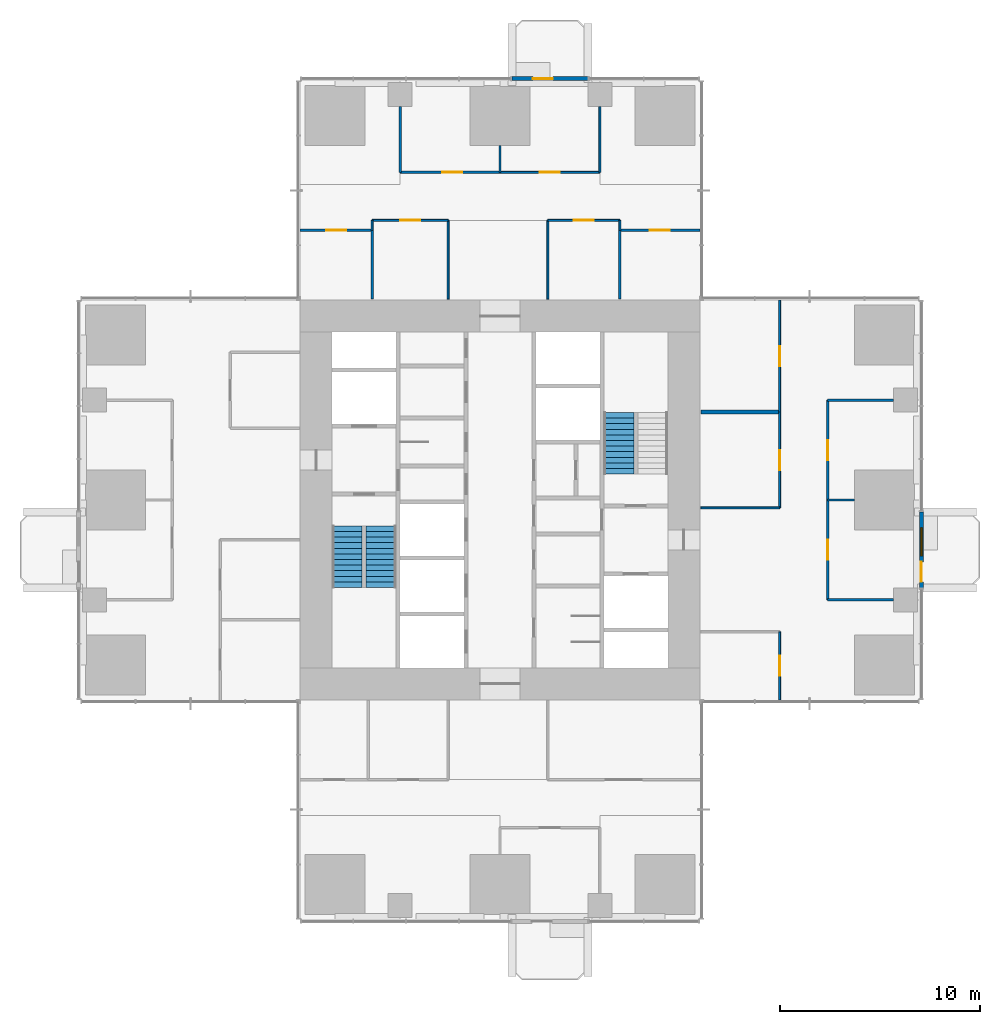
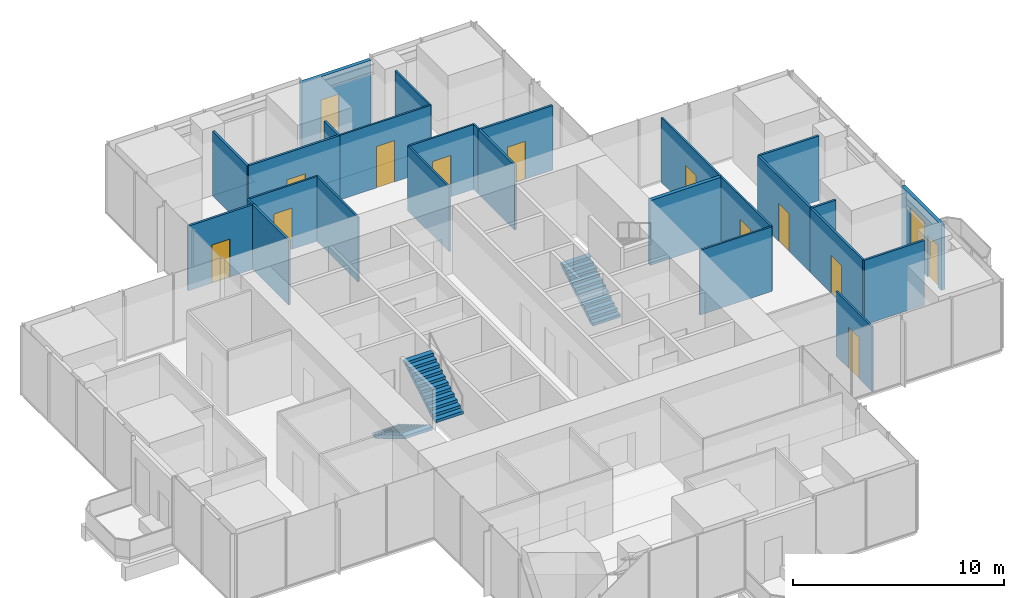
# One storey, part 10 of 14: 27 walls, 13 doors, 3 stair flights, 1 window, 14 openings, 2 elements without a shape of their own.
"""IFC4 building model written with IfcOpenShell, lengths in metres."""

import ifcopenshell
import ifcopenshell.guid

model = None  # the IFC model being written
_history = None  # IfcOwnerHistory: only IFC2X3 demands one
_inside = {}  # id of a spatial element -> (the spatial element, [elements in it])
_under = {}  # id of a project, library or spatial element -> (it, [spatial elements below it])
_declared = {}  # id of a project -> (the project, [libraries it declares])
_typed = {}  # id of a type object -> (the type object, [elements of that type])
_made_of = {}  # id of a material, layer set ... -> (it, [elements and type objects made of it])


def new_model(schema):
    """Start an empty IFC model of exactly this schema.

    Asked for "IFC4X3", IfcOpenShell would pick the latest addendum, in which some entities
    have other attributes; the version numbers below select the first issue.
    IFC2X3 requires an IfcOwnerHistory on every rooted entity: one is made here for all.
    """
    global model, _history
    if schema == "IFC4X3":
        model = ifcopenshell.file(schema_version=(4, 3, 0, 0))
    else:
        model = ifcopenshell.file(schema=schema)
    _inside.clear()
    _under.clear()
    _declared.clear()
    _typed.clear()
    _made_of.clear()
    _history = None
    if model.schema == "IFC2X3":
        org = make("IfcOrganization", Name="unknown")
        user = make(
            "IfcPersonAndOrganization",
            ThePerson=make("IfcPerson", FamilyName="unknown"),
            TheOrganization=org,
        )
        app = make(
            "IfcApplication",
            ApplicationDeveloper=org,
            Version="unknown",
            ApplicationFullName="unknown",
            ApplicationIdentifier="unknown",
        )
        _history = make(
            "IfcOwnerHistory",
            OwningUser=user,
            OwningApplication=app,
            ChangeAction="ADDED",
            CreationDate=0,
        )
    return model


def make(cls, **values):
    """One entity of the class cls with the attributes given. An attribute that is None is left unset."""
    return model.create_entity(
        cls, **{name: value for name, value in values.items() if value is not None}
    )


def rooted(cls, **values):
    """An entity with a GlobalId (a new one), such as an element, a storey or a relation."""
    return make(cls, GlobalId=ifcopenshell.guid.new(), OwnerHistory=_history, **values)


def si_unit(unit_type, name, prefix=None):
    """IfcSIUnit, for example si_unit("LENGTHUNIT", "METRE", prefix="MILLI")."""
    return make("IfcSIUnit", UnitType=unit_type, Prefix=prefix, Name=name)


def assignment(units):
    """IfcUnitAssignment: the units of a project."""
    return None if units is None else make("IfcUnitAssignment", Units=units)


def point(xyz):
    """IfcCartesianPoint."""
    return None if xyz is None else make("IfcCartesianPoint", Coordinates=xyz)


def direction(xyz):
    """IfcDirection."""
    return None if xyz is None else make("IfcDirection", DirectionRatios=xyz)


def frame(location, z_axis=None, x_axis=None):
    """IfcAxis2Placement3D, a coordinate frame: its origin and axes. An axis left out is left unset."""
    return make(
        "IfcAxis2Placement3D",
        Location=point(location),
        Axis=direction(z_axis),
        RefDirection=direction(x_axis),
    )


def frame_2d(location, x_axis=None):
    """IfcAxis2Placement2D, a coordinate frame in the plane: its origin and x axis."""
    return make(
        "IfcAxis2Placement2D", Location=point(location), RefDirection=direction(x_axis)
    )


def origin():
    """The frame at (0, 0, 0) with its axes left unset."""
    return frame((0.0, 0.0, 0.0))


def place(relative_to, where):
    """IfcLocalPlacement: puts the frame where relative to a parent placement (None: the world)."""
    return make(
        "IfcLocalPlacement", PlacementRelTo=relative_to, RelativePlacement=where
    )


def context(
    kind, dimensions, precision=None, world=None, true_north=None, identifier=None
):
    """IfcGeometricRepresentationContext, for example the 3D "Model" context."""
    return make(
        "IfcGeometricRepresentationContext",
        ContextIdentifier=identifier,
        ContextType=kind,
        CoordinateSpaceDimension=dimensions,
        Precision=precision,
        WorldCoordinateSystem=world,
        TrueNorth=true_north,
    )


def subcontext(parent, identifier, kind, view, scale=None):
    """IfcGeometricRepresentationSubContext, for example "Body" below "Model"."""
    return make(
        "IfcGeometricRepresentationSubContext",
        ContextIdentifier=identifier,
        ContextType=kind,
        ParentContext=parent,
        TargetScale=scale,
        TargetView=view,
    )


def project(units=None, contexts=None):
    """IfcProject with its units and contexts."""
    return rooted(
        "IfcProject",
        Name="project",
        RepresentationContexts=contexts,
        UnitsInContext=assignment(units),
    )


def spatial(cls, under=None, at=None, **own):
    """A site, building, storey or space (cls), placed at a placement, below another one or the project."""
    s = rooted(cls, ObjectPlacement=at, **own)
    if under is not None:
        _under.setdefault(under.id(), (under, []))[1].append(s)
    return s


def polyline(points):
    """IfcPolyline through the points."""
    return make("IfcPolyline", Points=[point(p) for p in points])


def profile(cls, at=None, kind="AREA", **sizes):
    """A parametric profile (cls). Its sizes go by their IFC names, for example OverallWidth=200.0."""
    return make(cls, ProfileType=kind, Position=at, **sizes)


def rectangle(**sizes):
    """IfcRectangleProfileDef."""
    return profile("IfcRectangleProfileDef", **sizes)


def outline(outer, holes=None, kind="AREA"):
    """IfcArbitraryClosedProfileDef: a profile drawn as a closed curve; with holes, ...WithVoids."""
    if holes is None:
        return make("IfcArbitraryClosedProfileDef", ProfileType=kind, OuterCurve=outer)
    return make(
        "IfcArbitraryProfileDefWithVoids",
        ProfileType=kind,
        OuterCurve=outer,
        InnerCurves=holes,
    )


def extrude(swept, where, along, depth):
    """IfcExtrudedAreaSolid: the profile swept, set in the frame where, extruded along a direction by depth."""
    return make(
        "IfcExtrudedAreaSolid",
        SweptArea=swept,
        Position=where,
        ExtrudedDirection=direction(along),
        Depth=depth,
    )


def shape(context_of_items, identifier, shape_type, items):
    """IfcShapeRepresentation: the items that make up one representation, for example the "Body"."""
    return make(
        "IfcShapeRepresentation",
        ContextOfItems=context_of_items,
        RepresentationIdentifier=identifier,
        RepresentationType=shape_type,
        Items=items,
    )


def material(Name=None, Category=None):
    """IfcMaterial."""
    return make("IfcMaterial", Name=Name, Category=Category)


def layer(
    of_material, thickness, ventilated=None, Name=None, Category=None, Priority=None
):
    """IfcMaterialLayer: one layer of a wall or slab, of a material (None: an air gap)."""
    return make(
        "IfcMaterialLayer",
        Material=of_material,
        LayerThickness=thickness,
        IsVentilated=ventilated,
        Name=Name,
        Category=Category,
        Priority=Priority,
    )


def layer_set(layers, Name=None):
    """IfcMaterialLayerSet."""
    return make("IfcMaterialLayerSet", MaterialLayers=layers, LayerSetName=Name)


def made_of(thing, what):
    """Note that an element or type object is made of a material, layer set ...; save() writes the relation."""
    if what is not None:
        _made_of.setdefault(what.id(), (what, []))[1].append(thing)
    return thing


def type_object(cls, material=None, **own):
    """A type object (cls), such as IfcWallType, which elements share."""
    return made_of(rooted(cls, **own), material)


def element(
    cls,
    number,
    at=None,
    inside=None,
    cuts=None,
    type_object=None,
    material=None,
    context=None,
    identifier="Body",
    shape_type=None,
    held_by="IfcProductDefinitionShape",
    body=None,
    shapes=None,
    **own,
):
    """One element of the class cls, such as IfcWall. Its Tag is "e" and its number.

    at: its placement. inside: the storey or other place that contains it. cuts: it is an
    opening in that element (IfcRelVoidsElement). A single representation is given by context,
    identifier, shape_type and body (its items); several are given by shapes. held_by: the class
    of the entity that holds the representations. save() writes the other relations.
    """
    e = rooted(cls, Tag="e%d" % number, ObjectPlacement=at, **own)
    if body is not None:
        shapes = [shape(context, identifier, shape_type, body)]
    if shapes is not None:
        e.Representation = make(held_by, Representations=shapes)
    if inside is not None:
        _inside.setdefault(inside.id(), (inside, []))[1].append(e)
    if cuts is not None:
        rooted(
            "IfcRelVoidsElement", RelatingBuildingElement=cuts, RelatedOpeningElement=e
        )
    if type_object is not None:
        _typed.setdefault(type_object.id(), (type_object, []))[1].append(e)
    return made_of(e, material)


def fill(opening, filler):
    """IfcRelFillsElement: the door or window that sits in an opening."""
    return rooted(
        "IfcRelFillsElement",
        RelatingOpeningElement=opening,
        RelatedBuildingElement=filler,
    )


def aggregate(whole, parts):
    """IfcRelAggregates: a whole, such as a stair, and the parts it consists of."""
    return rooted("IfcRelAggregates", RelatingObject=whole, RelatedObjects=parts)


def save(model, path):
    """Write the relations noted so far, then the file.

    IfcRelAggregates (storeys below a building ...), IfcRelContainedInSpatialStructure (elements
    in a storey), IfcRelDefinesByType, IfcRelAssociatesMaterial and IfcRelDeclares: one each for
    every whole, place, type object, material and project.
    """
    for whole, parts in _under.values():
        aggregate(whole, parts)
    for where, things in _inside.values():
        rooted(
            "IfcRelContainedInSpatialStructure",
            RelatedElements=things,
            RelatingStructure=where,
        )
    for kind, things in _typed.values():
        rooted("IfcRelDefinesByType", RelatedObjects=things, RelatingType=kind)
    for what, things in _made_of.values():
        rooted("IfcRelAssociatesMaterial", RelatedObjects=things, RelatingMaterial=what)
    for by, libraries in _declared.values():
        rooted("IfcRelDeclares", RelatingContext=by, RelatedDefinitions=libraries)
    model.write(path)


model = new_model("IFC4")

# Units and contexts
model_context = context("Model", 3, precision=1e-05, world=origin(), true_north=direction((0.0, 1.0)))
body_context = subcontext(model_context, "Body", "Model", "MODEL_VIEW")
ifc_project = project(units=[si_unit("LENGTHUNIT", "METRE"), si_unit("AREAUNIT", "SQUARE_METRE"), si_unit("VOLUMEUNIT", "CUBIC_METRE"), si_unit("PLANEANGLEUNIT", "RADIAN"), si_unit("MASSUNIT", "GRAM", prefix="KILO")], contexts=[model_context])

# Site, building, storey
site_placement = place(None, origin())
site = spatial("IfcSite", under=ifc_project, at=site_placement, CompositionType="ELEMENT")
building_placement = place(site_placement, origin())
building = spatial("IfcBuilding", under=site, at=building_placement, Name="Svetlomir Tower", CompositionType="ELEMENT")
storey_placement = place(building_placement, frame((0.0, 0.0, 104.5)))
storey = spatial("IfcBuildingStorey", under=building, at=storey_placement, Name="L24", CompositionType="ELEMENT", Elevation=104.5)

# Wall
ifc_material_1 = material(Name="Gypsum board on twin steel studs", Category="steel")
ifc_layer_1 = layer(ifc_material_1, 0.199951171875)
ifc_layer_set_1 = layer_set([ifc_layer_1], Name="Gypsum board on twin steel studs")
wall_type_1 = type_object("IfcWallType", Name="ACOUSTIC PARTITION 200", PredefinedType="PARTITIONING", material=ifc_layer_set_1)
wall_1_placement = place(storey_placement, frame((31.050048828125, 25.39990234375, 0.0), z_axis=(0.0, 0.0, 1.0), x_axis=(1.0, 0.0, 0.0)))
element("IfcWall", 1, at=wall_1_placement, inside=storey, type_object=wall_type_1, Name="Acoustic partition L24", PredefinedType="PARTITIONING", context=body_context, shape_type="SweptSolid", body=[
    extrude(rectangle(XDim=3.949951171875, YDim=0.199951171875, at=frame_2d((1.97509765625, 0.0))), origin(), (0.0, 0.0, 1.0), 3.75),
])

# Wall, openings, door, window
ifc_material_2 = material(Name="Bronze anodised aluminium glazed screen", Category="aluminium")
ifc_layer_2 = layer(ifc_material_2, 0.199951171875)
ifc_layer_set_2 = layer_set([ifc_layer_2], Name="Bronze anodised aluminium glazed screen")
wall_type_2 = type_object("IfcWallType", Name="BALCONY SCREEN WALL 200", PredefinedType="USERDEFINED", material=ifc_layer_set_2)
wall_2_placement = place(storey_placement, frame((42.10009765625, 16.60009765625, 0.0), z_axis=(0.0, 0.0, 1.0), x_axis=(0.0, 1.0, 0.0)))
wall_2 = element("IfcWall", 2, at=wall_2_placement, inside=storey, type_object=wall_type_2, Name="Balcony screen E", ObjectType="GLAZED SCREEN", PredefinedType="USERDEFINED", context=body_context, shape_type="SweptSolid", body=[
    extrude(rectangle(XDim=3.7998046875, YDim=0.199951171875, at=frame_2d((1.89990234375, 0.0))), origin(), (0.0, 0.0, 1.0), 3.75),
])
opening_1_placement = place(wall_2_placement, frame((0.300048828125, 0.0, 0.0)))
opening_1 = element("IfcOpeningElement", 3, at=opening_1_placement, cuts=wall_2, Name="Opening BD", PredefinedType="OPENING", context=body_context, shape_type="SweptSolid", body=[
    extrude(rectangle(XDim=1.0, YDim=2.39990234375, at=frame_2d((0.5, 1.199951171875))), frame((0.0, 0.10986328125, 0.0), z_axis=(0.0, -1.0, 0.0), x_axis=(1.0, 0.0, 0.0)), (0.0, 0.0, 1.0), 0.219970703125),
])
opening_2_placement = place(wall_2_placement, frame((1.60009765625, 0.0, 0.300048828125)))
opening_2 = element("IfcOpeningElement", 4, at=opening_2_placement, cuts=wall_2, Name="Opening WS2", PredefinedType="OPENING", context=body_context, shape_type="SweptSolid", body=[
    extrude(rectangle(XDim=1.39990234375, YDim=2.699951171875, at=frame_2d((0.699951171875, 1.35009765625))), frame((0.0, 0.10986328125, 0.0), z_axis=(0.0, -1.0, 0.0), x_axis=(1.0, 0.0, 0.0)), (0.0, 0.0, 1.0), 0.219970703125),
])
ifc_material_3 = material(Name="Bronze anodised aluminium glazed door", Category="aluminium")
door_type_1 = type_object("IfcDoorType", Name="BALCONY DOOR BD 1000x2400", OperationType="SINGLE_SWING_LEFT", PredefinedType="DOOR", material=ifc_material_3)
door_1_placement = place(opening_1_placement, origin())
door_1 = element("IfcDoor", 5, at=door_1_placement, inside=storey, type_object=door_type_1, Name="Balcony screen E door", OperationType="SINGLE_SWING_LEFT", OverallHeight=2.39990234375, OverallWidth=1.0, PredefinedType="DOOR", context=body_context, shape_type="SweptSolid", body=[
    extrude(rectangle(XDim=1.0, YDim=2.39990234375, at=frame_2d((0.5, 1.199951171875))), frame((0.0, 0.02490234375, 0.0), z_axis=(0.0, -1.0, 0.0), x_axis=(1.0, 0.0, 0.0)), (0.0, 0.0, 1.0), 0.050048828125),
])
fill(opening_1, door_1)
ifc_material_4 = material(Name="Bronze anodised aluminium window", Category="aluminium")
window_type = type_object("IfcWindowType", Name="SCREEN WINDOW WS2 1400x2700", PartitioningType="SINGLE_PANEL", PredefinedType="WINDOW", material=ifc_material_4)
window_placement = place(opening_2_placement, origin())
window = element("IfcWindow", 6, at=window_placement, inside=storey, type_object=window_type, Name="Balcony screen E window 1", OverallHeight=2.699951171875, OverallWidth=1.39990234375, PartitioningType="SINGLE_PANEL", PredefinedType="WINDOW", context=body_context, shape_type="SweptSolid", body=[
    extrude(rectangle(XDim=1.39990234375, YDim=2.699951171875, at=frame_2d((0.699951171875, 1.35009765625))), frame((0.0, 0.030029296875, 0.0), z_axis=(0.0, -1.0, 0.0), x_axis=(1.0, 0.0, 0.0)), (0.0, 0.0, 1.0), 0.06005859375),
])
fill(opening_2, window)

# Wall, opening, door
wall_3_placement = place(storey_placement, frame((25.39990234375, 42.10009765625, 0.0), z_axis=(0.0, 0.0, 1.0), x_axis=(-1.0, 0.0, 0.0)))
wall_3 = element("IfcWall", 7, at=wall_3_placement, inside=storey, type_object=wall_type_2, Name="Balcony screen N", ObjectType="GLAZED SCREEN", PredefinedType="USERDEFINED", context=body_context, shape_type="SweptSolid", body=[
    extrude(rectangle(XDim=3.7998046875, YDim=0.199951171875, at=frame_2d((1.89990234375, 0.0))), origin(), (0.0, 0.0, 1.0), 3.75),
])
opening_3_placement = place(wall_3_placement, frame((1.75, 0.0, 0.0)))
opening_3 = element("IfcOpeningElement", 8, at=opening_3_placement, cuts=wall_3, Name="Opening BD", PredefinedType="OPENING", context=body_context, shape_type="SweptSolid", body=[
    extrude(rectangle(XDim=1.0, YDim=2.39990234375, at=frame_2d((0.5, 1.199951171875))), frame((0.0, 0.10986328125, 0.0), z_axis=(0.0, -1.0, 0.0), x_axis=(1.0, 0.0, 0.0)), (0.0, 0.0, 1.0), 0.219970703125),
])
door_2_placement = place(opening_3_placement, origin())
door_2 = element("IfcDoor", 9, at=door_2_placement, inside=storey, type_object=door_type_1, Name="Balcony screen N door", OperationType="SINGLE_SWING_LEFT", OverallHeight=2.39990234375, OverallWidth=1.0, PredefinedType="DOOR", context=body_context, shape_type="SweptSolid", body=[
    extrude(rectangle(XDim=1.0, YDim=2.39990234375, at=frame_2d((0.5, 1.199951171875))), frame((0.0, 0.02490234375, 0.0), z_axis=(0.0, -1.0, 0.0), x_axis=(1.0, 0.0, 0.0)), (0.0, 0.0, 1.0), 0.050048828125),
])
fill(opening_3, door_2)

# Wall
ifc_material_5 = material(Name="Framed laminated glass partition", Category="glass")
ifc_layer_3 = layer(ifc_material_5, 0.10009765625)
ifc_layer_set_3 = layer_set([ifc_layer_3], Name="Framed laminated glass partition")
wall_type_3 = type_object("IfcWallType", Name="GLAZED PARTITION 100", PredefinedType="PARTITIONING", material=ifc_layer_set_3)
wall_4_placement = place(storey_placement, frame((14.60009765625, 34.5, 0.0), z_axis=(0.0, 0.0, 1.0), x_axis=(0.0, 1.0, 0.0)))
element("IfcWall", 10, at=wall_4_placement, inside=storey, type_object=wall_type_3, Name="Glazed partition L24", PredefinedType="PARTITIONING", context=body_context, shape_type="SweptSolid", body=[
    extrude(rectangle(XDim=0.5, YDim=0.10009765625, at=frame_2d((0.25, 0.0))), origin(), (0.0, 0.0, 1.0), 3.75),
])

# Wall, opening, door
wall_5_placement = place(storey_placement, frame((14.60009765625, 35.0, 0.0), z_axis=(0.0, 0.0, 1.0), x_axis=(1.0, 0.0, 0.0)))
wall_5 = element("IfcWall", 11, at=wall_5_placement, inside=storey, type_object=wall_type_3, Name="Glazed partition L24", PredefinedType="PARTITIONING", context=body_context, shape_type="SweptSolid", body=[
    extrude(rectangle(XDim=3.7998046875, YDim=0.10009765625, at=frame_2d((1.89990234375, 0.0))), origin(), (0.0, 0.0, 1.0), 3.75),
])
opening_4_placement = place(wall_5_placement, frame((1.39990234375, 0.0, 0.0)))
opening_4 = element("IfcOpeningElement", 12, at=opening_4_placement, cuts=wall_5, Name="Opening DG", PredefinedType="OPENING", context=body_context, shape_type="SweptSolid", body=[
    extrude(rectangle(XDim=1.0, YDim=2.39990234375, at=frame_2d((0.5, 1.199951171875))), frame((0.0, 0.06005859375, 0.0), z_axis=(0.0, -1.0, 0.0), x_axis=(1.0, 0.0, 0.0)), (0.0, 0.0, 1.0), 0.1201171875),
])
ifc_material_6 = material(Name="Framed laminated glass door", Category="glass")
door_type_2 = type_object("IfcDoorType", Name="GLAZED DOOR DG 1000x2400", OperationType="SINGLE_SWING_LEFT", PredefinedType="DOOR", material=ifc_material_6)
door_3_placement = place(opening_4_placement, origin())
door_3 = element("IfcDoor", 13, at=door_3_placement, inside=storey, type_object=door_type_2, Name="Focus room 2 door L24", OperationType="SINGLE_SWING_RIGHT", OverallHeight=2.39990234375, OverallWidth=1.0, PredefinedType="DOOR", context=body_context, shape_type="SweptSolid", body=[
    extrude(rectangle(XDim=1.0, YDim=2.39990234375, at=frame_2d((0.5, 1.199951171875))), frame((0.0, 0.02490234375, 0.0), z_axis=(0.0, -1.0, 0.0), x_axis=(1.0, 0.0, 0.0)), (0.0, 0.0, 1.0), 0.050048828125),
])
fill(opening_4, door_3)

# Wall
wall_6_placement = place(storey_placement, frame((18.39990234375, 31.050048828125, 0.0), z_axis=(0.0, 0.0, 1.0), x_axis=(0.0, 1.0, 0.0)))
element("IfcWall", 14, at=wall_6_placement, inside=storey, type_object=wall_type_3, Name="Glazed partition L24", PredefinedType="PARTITIONING", context=body_context, shape_type="SweptSolid", body=[
    extrude(rectangle(XDim=3.949951171875, YDim=0.10009765625, at=frame_2d((1.97509765625, 0.0))), origin(), (0.0, 0.0, 1.0), 3.75),
])

# Wall, opening, door
wall_7_placement = place(storey_placement, frame((21.0, 37.39990234375, 0.0), z_axis=(0.0, 0.0, 1.0), x_axis=(1.0, 0.0, 0.0)))
wall_7 = element("IfcWall", 15, at=wall_7_placement, inside=storey, type_object=wall_type_3, Name="Glazed partition L24", PredefinedType="PARTITIONING", context=body_context, shape_type="SweptSolid", body=[
    extrude(rectangle(XDim=5.0, YDim=0.10009765625, at=frame_2d((2.5, 0.0))), origin(), (0.0, 0.0, 1.0), 3.75),
])
opening_5_placement = place(wall_7_placement, frame((2.0, 0.0, 0.0)))
opening_5 = element("IfcOpeningElement", 16, at=opening_5_placement, cuts=wall_7, Name="Opening DG", PredefinedType="OPENING", context=body_context, shape_type="SweptSolid", body=[
    extrude(rectangle(XDim=1.0, YDim=2.39990234375, at=frame_2d((0.5, 1.199951171875))), frame((0.0, 0.06005859375, 0.0), z_axis=(0.0, -1.0, 0.0), x_axis=(1.0, 0.0, 0.0)), (0.0, 0.0, 1.0), 0.1201171875),
])
door_4_placement = place(opening_5_placement, origin())
door_4 = element("IfcDoor", 17, at=door_4_placement, inside=storey, type_object=door_type_2, Name="Law library door L24", OperationType="SINGLE_SWING_LEFT", OverallHeight=2.39990234375, OverallWidth=1.0, PredefinedType="DOOR", context=body_context, shape_type="SweptSolid", body=[
    extrude(rectangle(XDim=1.0, YDim=2.39990234375, at=frame_2d((0.5, 1.199951171875))), frame((0.0, 0.02490234375, 0.0), z_axis=(0.0, -1.0, 0.0), x_axis=(1.0, 0.0, 0.0)), (0.0, 0.0, 1.0), 0.050048828125),
])
fill(opening_5, door_4)

# Wall
wall_8_placement = place(storey_placement, frame((23.39990234375, 31.050048828125, 0.0), z_axis=(0.0, 0.0, 1.0), x_axis=(0.0, 1.0, 0.0)))
element("IfcWall", 18, at=wall_8_placement, inside=storey, type_object=wall_type_3, Name="Glazed partition L24", PredefinedType="PARTITIONING", context=body_context, shape_type="SweptSolid", body=[
    extrude(rectangle(XDim=3.949951171875, YDim=0.10009765625, at=frame_2d((1.97509765625, 0.0))), origin(), (0.0, 0.0, 1.0), 3.75),
])

# Wall, opening, door
wall_9_placement = place(storey_placement, frame((23.39990234375, 35.0, 0.0), z_axis=(0.0, 0.0, 1.0), x_axis=(1.0, 0.0, 0.0)))
wall_9 = element("IfcWall", 19, at=wall_9_placement, inside=storey, type_object=wall_type_3, Name="Glazed partition L24", PredefinedType="PARTITIONING", context=body_context, shape_type="SweptSolid", body=[
    extrude(rectangle(XDim=3.60009765625, YDim=0.10009765625, at=frame_2d((1.800048828125, 0.0))), origin(), (0.0, 0.0, 1.0), 3.75),
])
opening_6_placement = place(wall_9_placement, frame((1.300048828125, 0.0, 0.0)))
opening_6 = element("IfcOpeningElement", 20, at=opening_6_placement, cuts=wall_9, Name="Opening DG", PredefinedType="OPENING", context=body_context, shape_type="SweptSolid", body=[
    extrude(rectangle(XDim=1.0, YDim=2.39990234375, at=frame_2d((0.5, 1.199951171875))), frame((0.0, 0.06005859375, 0.0), z_axis=(0.0, -1.0, 0.0), x_axis=(1.0, 0.0, 0.0)), (0.0, 0.0, 1.0), 0.1201171875),
])
door_5_placement = place(opening_6_placement, origin())
door_5 = element("IfcDoor", 21, at=door_5_placement, inside=storey, type_object=door_type_2, Name="Focus room 3 door L24", OperationType="SINGLE_SWING_LEFT", OverallHeight=2.39990234375, OverallWidth=1.0, PredefinedType="DOOR", context=body_context, shape_type="SweptSolid", body=[
    extrude(rectangle(XDim=1.0, YDim=2.39990234375, at=frame_2d((0.5, 1.199951171875))), frame((0.0, 0.02490234375, 0.0), z_axis=(0.0, -1.0, 0.0), x_axis=(1.0, 0.0, 0.0)), (0.0, 0.0, 1.0), 0.050048828125),
])
fill(opening_6, door_5)

# Walls
wall_10_placement = place(storey_placement, frame((26.0, 37.39990234375, 0.0), z_axis=(0.0, 0.0, 1.0), x_axis=(0.0, 1.0, 0.0)))
element("IfcWall", 22, at=wall_10_placement, inside=storey, type_object=wall_type_3, Name="Glazed partition L24", PredefinedType="PARTITIONING", context=body_context, shape_type="SweptSolid", body=[
    extrude(rectangle(XDim=3.2900390625, YDim=0.10009765625, at=frame_2d((1.64501953125, 0.0))), origin(), (0.0, 0.0, 1.0), 3.75),
])
wall_11_placement = place(storey_placement, frame((27.0, 34.5, 0.0), z_axis=(0.0, 0.0, 1.0), x_axis=(0.0, 1.0, 0.0)))
element("IfcWall", 23, at=wall_11_placement, inside=storey, type_object=wall_type_3, Name="Glazed partition L24", PredefinedType="PARTITIONING", context=body_context, shape_type="SweptSolid", body=[
    extrude(rectangle(XDim=0.5, YDim=0.10009765625, at=frame_2d((0.25, 0.0))), origin(), (0.0, 0.0, 1.0), 3.75),
])
wall_12_placement = place(storey_placement, frame((31.050048828125, 20.60009765625, 0.0), z_axis=(0.0, 0.0, 1.0), x_axis=(1.0, 0.0, 0.0)))
element("IfcWall", 24, at=wall_12_placement, inside=storey, type_object=wall_type_3, Name="Glazed partition L24", PredefinedType="PARTITIONING", context=body_context, shape_type="SweptSolid", body=[
    extrude(rectangle(XDim=3.949951171875, YDim=0.10009765625, at=frame_2d((1.97509765625, 0.0))), origin(), (0.0, 0.0, 1.0), 3.75),
])

# Wall, opening, door
wall_13_placement = place(storey_placement, frame((35.0, 11.0, 0.0), z_axis=(0.0, 0.0, 1.0), x_axis=(0.0, 1.0, 0.0)))
wall_13 = element("IfcWall", 25, at=wall_13_placement, inside=storey, type_object=wall_type_3, Name="Glazed partition L24", PredefinedType="PARTITIONING", context=body_context, shape_type="SweptSolid", body=[
    extrude(rectangle(XDim=3.39990234375, YDim=0.10009765625, at=frame_2d((1.699951171875, 0.0))), origin(), (0.0, 0.0, 1.0), 3.75),
])
opening_7_placement = place(wall_13_placement, frame((1.199951171875, 0.0, 0.0)))
opening_7 = element("IfcOpeningElement", 26, at=opening_7_placement, cuts=wall_13, Name="Opening DG", PredefinedType="OPENING", context=body_context, shape_type="SweptSolid", body=[
    extrude(rectangle(XDim=1.0, YDim=2.39990234375, at=frame_2d((0.5, 1.199951171875))), frame((0.0, 0.06005859375, 0.0), z_axis=(0.0, -1.0, 0.0), x_axis=(1.0, 0.0, 0.0)), (0.0, 0.0, 1.0), 0.1201171875),
])
door_6_placement = place(opening_7_placement, origin())
door_6 = element("IfcDoor", 27, at=door_6_placement, inside=storey, type_object=door_type_2, Name="Phone rooms door L24", OperationType="SINGLE_SWING_RIGHT", OverallHeight=2.39990234375, OverallWidth=1.0, PredefinedType="DOOR", context=body_context, shape_type="SweptSolid", body=[
    extrude(rectangle(XDim=1.0, YDim=2.39990234375, at=frame_2d((0.5, 1.199951171875))), frame((0.0, 0.02490234375, 0.0), z_axis=(0.0, -1.0, 0.0), x_axis=(1.0, 0.0, 0.0)), (0.0, 0.0, 1.0), 0.050048828125),
])
fill(opening_7, door_6)

wall_14_placement = place(storey_placement, frame((35.0, 20.60009765625, 0.0), z_axis=(0.0, 0.0, 1.0), x_axis=(0.0, 1.0, 0.0)))
wall_14 = element("IfcWall", 28, at=wall_14_placement, inside=storey, type_object=wall_type_3, Name="Glazed partition L24", PredefinedType="PARTITIONING", context=body_context, shape_type="SweptSolid", body=[
    extrude(rectangle(XDim=4.7998046875, YDim=0.10009765625, at=frame_2d((2.39990234375, 0.0))), origin(), (0.0, 0.0, 1.0), 3.75),
])
opening_8_placement = place(wall_14_placement, frame((1.89990234375, 0.0, 0.0)))
opening_8 = element("IfcOpeningElement", 29, at=opening_8_placement, cuts=wall_14, Name="Opening DG", PredefinedType="OPENING", context=body_context, shape_type="SweptSolid", body=[
    extrude(rectangle(XDim=1.0, YDim=2.39990234375, at=frame_2d((0.5, 1.199951171875))), frame((0.0, 0.06005859375, 0.0), z_axis=(0.0, -1.0, 0.0), x_axis=(1.0, 0.0, 0.0)), (0.0, 0.0, 1.0), 0.1201171875),
])
door_7_placement = place(opening_8_placement, origin())
door_7 = element("IfcDoor", 30, at=door_7_placement, inside=storey, type_object=door_type_2, Name="Meeting room, 8 seats door L24", OperationType="SINGLE_SWING_RIGHT", OverallHeight=2.39990234375, OverallWidth=1.0, PredefinedType="DOOR", context=body_context, shape_type="SweptSolid", body=[
    extrude(rectangle(XDim=1.0, YDim=2.39990234375, at=frame_2d((0.5, 1.199951171875))), frame((0.0, 0.02490234375, 0.0), z_axis=(0.0, -1.0, 0.0), x_axis=(1.0, 0.0, 0.0)), (0.0, 0.0, 1.0), 0.050048828125),
])
fill(opening_8, door_7)

wall_15_placement = place(storey_placement, frame((35.0, 25.39990234375, 0.0), z_axis=(0.0, 0.0, 1.0), x_axis=(0.0, 1.0, 0.0)))
wall_15 = element("IfcWall", 31, at=wall_15_placement, inside=storey, type_object=wall_type_3, Name="Glazed partition L24", PredefinedType="PARTITIONING", context=body_context, shape_type="SweptSolid", body=[
    extrude(rectangle(XDim=5.60009765625, YDim=0.10009765625, at=frame_2d((2.800048828125, 0.0))), origin(), (0.0, 0.0, 1.0), 3.75),
])
opening_9_placement = place(wall_15_placement, frame((2.300048828125, 0.0, 0.0)))
opening_9 = element("IfcOpeningElement", 32, at=opening_9_placement, cuts=wall_15, Name="Opening DG", PredefinedType="OPENING", context=body_context, shape_type="SweptSolid", body=[
    extrude(rectangle(XDim=1.0, YDim=2.39990234375, at=frame_2d((0.5, 1.199951171875))), frame((0.0, 0.06005859375, 0.0), z_axis=(0.0, -1.0, 0.0), x_axis=(1.0, 0.0, 0.0)), (0.0, 0.0, 1.0), 0.1201171875),
])
door_8_placement = place(opening_9_placement, origin())
door_8 = element("IfcDoor", 33, at=door_8_placement, inside=storey, type_object=door_type_2, Name="Data room door L24", OperationType="SINGLE_SWING_LEFT", OverallHeight=2.39990234375, OverallWidth=1.0, PredefinedType="DOOR", context=body_context, shape_type="SweptSolid", body=[
    extrude(rectangle(XDim=1.0, YDim=2.39990234375, at=frame_2d((0.5, 1.199951171875))), frame((0.0, 0.02490234375, 0.0), z_axis=(0.0, -1.0, 0.0), x_axis=(1.0, 0.0, 0.0)), (0.0, 0.0, 1.0), 0.050048828125),
])
fill(opening_9, door_8)

ifc_material_7 = material(Name="Gypsum board on steel studs", Category="steel")
ifc_layer_4 = layer(ifc_material_7, 0.1201171875)
ifc_layer_set_4 = layer_set([ifc_layer_4], Name="Gypsum board on steel studs")
wall_type_4 = type_object("IfcWallType", Name="PARTITION 120", PredefinedType="PARTITIONING", material=ifc_layer_set_4)
wall_16_placement = place(storey_placement, frame((11.0, 34.5, 0.0), z_axis=(0.0, 0.0, 1.0), x_axis=(1.0, 0.0, 0.0)))
wall_16 = element("IfcWall", 34, at=wall_16_placement, inside=storey, type_object=wall_type_4, Name="Partition L24", PredefinedType="PARTITIONING", context=body_context, shape_type="SweptSolid", body=[
    extrude(rectangle(XDim=3.60009765625, YDim=0.1201171875, at=frame_2d((1.800048828125, 0.0))), origin(), (0.0, 0.0, 1.0), 3.75),
])
opening_10_placement = place(wall_16_placement, frame((1.300048828125, 0.0, 0.0)))
opening_10 = element("IfcOpeningElement", 35, at=opening_10_placement, cuts=wall_16, Name="Opening DR", PredefinedType="OPENING", context=body_context, shape_type="SweptSolid", body=[
    extrude(rectangle(XDim=1.0, YDim=2.199951171875, at=frame_2d((0.5, 1.10009765625))), frame((0.0, 0.070068359375, 0.0), z_axis=(0.0, -1.0, 0.0), x_axis=(1.0, 0.0, 0.0)), (0.0, 0.0, 1.0), 0.14013671875),
])
ifc_material_8 = material(Name="Timber door, glazed side light", Category="wood")
door_type_3 = type_object("IfcDoorType", Name="DOOR DR 1000x2200", OperationType="SINGLE_SWING_LEFT", PredefinedType="DOOR", material=ifc_material_8)
door_9_placement = place(opening_10_placement, origin())
door_9 = element("IfcDoor", 36, at=door_9_placement, inside=storey, type_object=door_type_3, Name="Legal archive door L24", OperationType="SINGLE_SWING_RIGHT", OverallHeight=2.199951171875, OverallWidth=1.0, PredefinedType="DOOR", context=body_context, shape_type="SweptSolid", body=[
    extrude(rectangle(XDim=1.0, YDim=2.199951171875, at=frame_2d((0.5, 1.10009765625))), frame((0.0, 0.02490234375, 0.0), z_axis=(0.0, -1.0, 0.0), x_axis=(1.0, 0.0, 0.0)), (0.0, 0.0, 1.0), 0.050048828125),
])
fill(opening_10, door_9)

# Walls
wall_17_placement = place(storey_placement, frame((14.60009765625, 31.050048828125, 0.0), z_axis=(0.0, 0.0, 1.0), x_axis=(0.0, 1.0, 0.0)))
element("IfcWall", 37, at=wall_17_placement, inside=storey, type_object=wall_type_4, Name="Partition L24", PredefinedType="PARTITIONING", context=body_context, shape_type="SweptSolid", body=[
    extrude(rectangle(XDim=3.449951171875, YDim=0.1201171875, at=frame_2d((1.72509765625, 0.0))), origin(), (0.0, 0.0, 1.0), 3.75),
])
wall_18_placement = place(storey_placement, frame((16.0, 37.39990234375, 0.0), z_axis=(0.0, 0.0, 1.0), x_axis=(0.0, 1.0, 0.0)))
element("IfcWall", 38, at=wall_18_placement, inside=storey, type_object=wall_type_4, Name="Partition L24", PredefinedType="PARTITIONING", context=body_context, shape_type="SweptSolid", body=[
    extrude(rectangle(XDim=3.2900390625, YDim=0.1201171875, at=frame_2d((1.64501953125, 0.0))), origin(), (0.0, 0.0, 1.0), 3.75),
])

# Wall, opening, door
wall_19_placement = place(storey_placement, frame((16.0, 37.39990234375, 0.0), z_axis=(0.0, 0.0, 1.0), x_axis=(1.0, 0.0, 0.0)))
wall_19 = element("IfcWall", 39, at=wall_19_placement, inside=storey, type_object=wall_type_4, Name="Partition L24", PredefinedType="PARTITIONING", context=body_context, shape_type="SweptSolid", body=[
    extrude(rectangle(XDim=5.0, YDim=0.1201171875, at=frame_2d((2.5, 0.0))), origin(), (0.0, 0.0, 1.0), 3.75),
])
opening_11_placement = place(wall_19_placement, frame((2.10009765625, 0.0, 0.0)))
opening_11 = element("IfcOpeningElement", 40, at=opening_11_placement, cuts=wall_19, Name="Opening DR", PredefinedType="OPENING", context=body_context, shape_type="SweptSolid", body=[
    extrude(rectangle(XDim=1.0, YDim=2.199951171875, at=frame_2d((0.5, 1.10009765625))), frame((0.0, 0.070068359375, 0.0), z_axis=(0.0, -1.0, 0.0), x_axis=(1.0, 0.0, 0.0)), (0.0, 0.0, 1.0), 0.14013671875),
])
door_10_placement = place(opening_11_placement, origin())
door_10 = element("IfcDoor", 41, at=door_10_placement, inside=storey, type_object=door_type_3, Name="Counsel office 2 door L24", OperationType="SINGLE_SWING_RIGHT", OverallHeight=2.199951171875, OverallWidth=1.0, PredefinedType="DOOR", context=body_context, shape_type="SweptSolid", body=[
    extrude(rectangle(XDim=1.0, YDim=2.199951171875, at=frame_2d((0.5, 1.10009765625))), frame((0.0, 0.02490234375, 0.0), z_axis=(0.0, -1.0, 0.0), x_axis=(1.0, 0.0, 0.0)), (0.0, 0.0, 1.0), 0.050048828125),
])
fill(opening_11, door_10)

# Walls
wall_20_placement = place(storey_placement, frame((21.0, 37.39990234375, 0.0), z_axis=(0.0, 0.0, 1.0), x_axis=(0.0, 1.0, 0.0)))
element("IfcWall", 42, at=wall_20_placement, inside=storey, type_object=wall_type_4, Name="Partition L24", PredefinedType="PARTITIONING", context=body_context, shape_type="SweptSolid", body=[
    extrude(rectangle(XDim=1.340087890625, YDim=0.1201171875, at=frame_2d((0.669921875, 0.0))), origin(), (0.0, 0.0, 1.0), 3.75),
])
wall_21_placement = place(storey_placement, frame((27.0, 31.050048828125, 0.0), z_axis=(0.0, 0.0, 1.0), x_axis=(0.0, 1.0, 0.0)))
element("IfcWall", 43, at=wall_21_placement, inside=storey, type_object=wall_type_4, Name="Partition L24", PredefinedType="PARTITIONING", context=body_context, shape_type="SweptSolid", body=[
    extrude(rectangle(XDim=3.449951171875, YDim=0.1201171875, at=frame_2d((1.72509765625, 0.0))), origin(), (0.0, 0.0, 1.0), 3.75),
])

# Wall, opening, door
wall_22_placement = place(storey_placement, frame((27.0, 34.5, 0.0), z_axis=(0.0, 0.0, 1.0), x_axis=(1.0, 0.0, 0.0)))
wall_22 = element("IfcWall", 44, at=wall_22_placement, inside=storey, type_object=wall_type_4, Name="Partition L24", PredefinedType="PARTITIONING", context=body_context, shape_type="SweptSolid", body=[
    extrude(rectangle(XDim=4.0, YDim=0.1201171875, at=frame_2d((2.0, 0.0))), origin(), (0.0, 0.0, 1.0), 3.75),
])
opening_12_placement = place(wall_22_placement, frame((1.5, 0.0, 0.0)))
opening_12 = element("IfcOpeningElement", 45, at=opening_12_placement, cuts=wall_22, Name="Opening DR", PredefinedType="OPENING", context=body_context, shape_type="SweptSolid", body=[
    extrude(rectangle(XDim=1.0, YDim=2.199951171875, at=frame_2d((0.5, 1.10009765625))), frame((0.0, 0.070068359375, 0.0), z_axis=(0.0, -1.0, 0.0), x_axis=(1.0, 0.0, 0.0)), (0.0, 0.0, 1.0), 0.14013671875),
])
door_11_placement = place(opening_12_placement, origin())
door_11 = element("IfcDoor", 46, at=door_11_placement, inside=storey, type_object=door_type_3, Name="Print and copy room door L24", OperationType="SINGLE_SWING_LEFT", OverallHeight=2.199951171875, OverallWidth=1.0, PredefinedType="DOOR", context=body_context, shape_type="SweptSolid", body=[
    extrude(rectangle(XDim=1.0, YDim=2.199951171875, at=frame_2d((0.5, 1.10009765625))), frame((0.0, 0.02490234375, 0.0), z_axis=(0.0, -1.0, 0.0), x_axis=(1.0, 0.0, 0.0)), (0.0, 0.0, 1.0), 0.050048828125),
])
fill(opening_12, door_11)

wall_23_placement = place(storey_placement, frame((37.39990234375, 16.0, 0.0), z_axis=(0.0, 0.0, 1.0), x_axis=(0.0, 1.0, 0.0)))
wall_23 = element("IfcWall", 47, at=wall_23_placement, inside=storey, type_object=wall_type_4, Name="Partition L24", PredefinedType="PARTITIONING", context=body_context, shape_type="SweptSolid", body=[
    extrude(rectangle(XDim=5.0, YDim=0.1201171875, at=frame_2d((2.5, 0.0))), origin(), (0.0, 0.0, 1.0), 3.75),
])
opening_13_placement = place(wall_23_placement, frame((2.0, 0.0, 0.0)))
opening_13 = element("IfcOpeningElement", 48, at=opening_13_placement, cuts=wall_23, Name="Opening DR", PredefinedType="OPENING", context=body_context, shape_type="SweptSolid", body=[
    extrude(rectangle(XDim=1.0, YDim=2.199951171875, at=frame_2d((0.5, 1.10009765625))), frame((0.0, 0.070068359375, 0.0), z_axis=(0.0, -1.0, 0.0), x_axis=(1.0, 0.0, 0.0)), (0.0, 0.0, 1.0), 0.14013671875),
])
door_12_placement = place(opening_13_placement, origin())
door_12 = element("IfcDoor", 49, at=door_12_placement, inside=storey, type_object=door_type_3, Name="General counsel office door L24", OperationType="SINGLE_SWING_RIGHT", OverallHeight=2.199951171875, OverallWidth=1.0, PredefinedType="DOOR", context=body_context, shape_type="SweptSolid", body=[
    extrude(rectangle(XDim=1.0, YDim=2.199951171875, at=frame_2d((0.5, 1.10009765625))), frame((0.0, 0.02490234375, 0.0), z_axis=(0.0, -1.0, 0.0), x_axis=(1.0, 0.0, 0.0)), (0.0, 0.0, 1.0), 0.050048828125),
])
fill(opening_13, door_12)

# Wall
wall_24_placement = place(storey_placement, frame((37.39990234375, 16.0, 0.0), z_axis=(0.0, 0.0, 1.0), x_axis=(1.0, 0.0, 0.0)))
element("IfcWall", 50, at=wall_24_placement, inside=storey, type_object=wall_type_4, Name="Partition L24", PredefinedType="PARTITIONING", context=body_context, shape_type="SweptSolid", body=[
    extrude(rectangle(XDim=3.2900390625, YDim=0.1201171875, at=frame_2d((1.64501953125, 0.0))), origin(), (0.0, 0.0, 1.0), 3.75),
])

# Wall, opening, door
wall_25_placement = place(storey_placement, frame((37.39990234375, 21.0, 0.0), z_axis=(0.0, 0.0, 1.0), x_axis=(0.0, 1.0, 0.0)))
wall_25 = element("IfcWall", 51, at=wall_25_placement, inside=storey, type_object=wall_type_4, Name="Partition L24", PredefinedType="PARTITIONING", context=body_context, shape_type="SweptSolid", body=[
    extrude(rectangle(XDim=5.0, YDim=0.1201171875, at=frame_2d((2.5, 0.0))), origin(), (0.0, 0.0, 1.0), 3.75),
])
opening_14_placement = place(wall_25_placement, frame((2.0, 0.0, 0.0)))
opening_14 = element("IfcOpeningElement", 52, at=opening_14_placement, cuts=wall_25, Name="Opening DR", PredefinedType="OPENING", context=body_context, shape_type="SweptSolid", body=[
    extrude(rectangle(XDim=1.0, YDim=2.199951171875, at=frame_2d((0.5, 1.10009765625))), frame((0.0, 0.070068359375, 0.0), z_axis=(0.0, -1.0, 0.0), x_axis=(1.0, 0.0, 0.0)), (0.0, 0.0, 1.0), 0.14013671875),
])
door_13_placement = place(opening_14_placement, origin())
door_13 = element("IfcDoor", 53, at=door_13_placement, inside=storey, type_object=door_type_3, Name="Legal assistants office door L24", OperationType="SINGLE_SWING_RIGHT", OverallHeight=2.199951171875, OverallWidth=1.0, PredefinedType="DOOR", context=body_context, shape_type="SweptSolid", body=[
    extrude(rectangle(XDim=1.0, YDim=2.199951171875, at=frame_2d((0.5, 1.10009765625))), frame((0.0, 0.02490234375, 0.0), z_axis=(0.0, -1.0, 0.0), x_axis=(1.0, 0.0, 0.0)), (0.0, 0.0, 1.0), 0.050048828125),
])
fill(opening_14, door_13)

# Walls
wall_26_placement = place(storey_placement, frame((37.39990234375, 21.0, 0.0), z_axis=(0.0, 0.0, 1.0), x_axis=(1.0, 0.0, 0.0)))
element("IfcWall", 54, at=wall_26_placement, inside=storey, type_object=wall_type_4, Name="Partition L24", PredefinedType="PARTITIONING", context=body_context, shape_type="SweptSolid", body=[
    extrude(rectangle(XDim=1.340087890625, YDim=0.1201171875, at=frame_2d((0.669921875, 0.0))), origin(), (0.0, 0.0, 1.0), 3.75),
])
wall_27_placement = place(storey_placement, frame((37.39990234375, 26.0, 0.0), z_axis=(0.0, 0.0, 1.0), x_axis=(1.0, 0.0, 0.0)))
element("IfcWall", 55, at=wall_27_placement, inside=storey, type_object=wall_type_4, Name="Partition L24", PredefinedType="PARTITIONING", context=body_context, shape_type="SweptSolid", body=[
    extrude(rectangle(XDim=3.2900390625, YDim=0.1201171875, at=frame_2d((1.64501953125, 0.0))), origin(), (0.0, 0.0, 1.0), 3.75),
])

# Stair, stair flights
ifc_material_9 = material(Name="Concrete C60/75", Category="concrete")
stair_type = type_object("IfcStairType", Name="EXIT STAIR 3200 RISE 4000", PredefinedType="HALF_TURN_STAIR", material=ifc_material_9)
stair_1_placement = place(storey_placement, origin())
stair_1 = element("IfcStair", 56, at=stair_1_placement, inside=storey, type_object=stair_type, Name="Stair S1 L24 to L25", PredefinedType="HALF_TURN_STAIR")
ifc_material_10 = material(Name="Concrete C60/75", Category="concrete")
stair_flight_type = type_object("IfcStairFlightType", Name="STAIR FLIGHT 1500 OF 12 RISERS", PredefinedType="STRAIGHT", material=ifc_material_10)
stair_flight_1_placement = place(storey_placement, frame((13.35009765625, 19.699951171875, 0.0), z_axis=(0.0, 0.0, 1.0), x_axis=(0.0, -1.0, 0.0)))
stair_flight_1 = element("IfcStairFlight", 57, at=stair_flight_1_placement, type_object=stair_flight_type, Name="S1 flight 1", NumberOfRisers=12, NumberOfTreads=11, PredefinedType="STRAIGHT", RiserHeight=0.166666667, TreadLength=0.28, context=body_context, shape_type="SweptSolid", body=[
    extrude(outline(polyline([(0.0, 0.0), (0.0, 0.166748046875), (0.280029296875, 0.166748046875), (0.280029296875, 0.333251953125), (0.56005859375, 0.333251953125), (0.56005859375, 0.5), (0.840087890625, 0.5), (0.840087890625, 0.666748046875), (1.1201171875, 0.666748046875), (1.1201171875, 0.833251953125), (1.39990234375, 0.833251953125), (1.39990234375, 1.0), (1.679931640625, 1.0), (1.679931640625, 1.166748046875), (1.9599609375, 1.166748046875), (1.9599609375, 1.333251953125), (2.239990234375, 1.333251953125), (2.239990234375, 1.5), (2.52001953125, 1.5), (2.52001953125, 1.666748046875), (2.800048828125, 1.666748046875), (2.800048828125, 1.833251953125), (3.080078125, 1.833251953125), (3.080078125, 2.0), (3.080078125, 1.658935546875), (0.29296875, 0.0), (0.0, 0.0)])), frame((0.0, 0.75, 0.0), z_axis=(0.0, -1.0, 0.0), x_axis=(1.0, 0.0, 0.0)), (0.0, 0.0, 1.0), 1.5),
])
stair_flight_2_placement = place(storey_placement, frame((15.050048828125, 16.6201171875, 2.0), z_axis=(0.0, 0.0, 1.0), x_axis=(0.0, 1.0, 0.0)))
stair_flight_2 = element("IfcStairFlight", 58, at=stair_flight_2_placement, type_object=stair_flight_type, Name="S1 flight 2", NumberOfRisers=12, NumberOfTreads=11, PredefinedType="STRAIGHT", RiserHeight=0.166666667, TreadLength=0.28, context=body_context, shape_type="SweptSolid", body=[
    extrude(outline(polyline([(0.0, 0.0), (0.0, 0.166748046875), (0.280029296875, 0.166748046875), (0.280029296875, 0.333251953125), (0.56005859375, 0.333251953125), (0.56005859375, 0.5), (0.840087890625, 0.5), (0.840087890625, 0.666748046875), (1.1201171875, 0.666748046875), (1.1201171875, 0.833251953125), (1.39990234375, 0.833251953125), (1.39990234375, 1.0), (1.679931640625, 1.0), (1.679931640625, 1.166748046875), (1.9599609375, 1.166748046875), (1.9599609375, 1.333251953125), (2.239990234375, 1.333251953125), (2.239990234375, 1.5), (2.52001953125, 1.5), (2.52001953125, 1.666748046875), (2.800048828125, 1.666748046875), (2.800048828125, 1.833251953125), (3.080078125, 1.833251953125), (3.080078125, 2.0), (3.080078125, 1.658935546875), (0.29296875, 0.0), (0.0, 0.0)])), frame((0.0, 0.75, 0.0), z_axis=(0.0, -1.0, 0.0), x_axis=(1.0, 0.0, 0.0)), (0.0, 0.0, 1.0), 1.5),
])
aggregate(stair_1, [stair_flight_1, stair_flight_2])

# Stair, stair flight
stair_2_placement = place(storey_placement, origin())
stair_2 = element("IfcStair", 59, at=stair_2_placement, inside=storey, type_object=stair_type, Name="Stair S2 L24 to L25", PredefinedType="HALF_TURN_STAIR")
stair_flight_3_placement = place(storey_placement, frame((26.949951171875, 22.300048828125, 0.0), z_axis=(0.0, 0.0, 1.0), x_axis=(0.0, 1.0, 0.0)))
stair_flight_3 = element("IfcStairFlight", 60, at=stair_flight_3_placement, type_object=stair_flight_type, Name="S2 flight 1", NumberOfRisers=12, NumberOfTreads=11, PredefinedType="STRAIGHT", RiserHeight=0.166666667, TreadLength=0.28, context=body_context, shape_type="SweptSolid", body=[
    extrude(outline(polyline([(0.0, 0.0), (0.0, 0.166748046875), (0.280029296875, 0.166748046875), (0.280029296875, 0.333251953125), (0.56005859375, 0.333251953125), (0.56005859375, 0.5), (0.840087890625, 0.5), (0.840087890625, 0.666748046875), (1.1201171875, 0.666748046875), (1.1201171875, 0.833251953125), (1.39990234375, 0.833251953125), (1.39990234375, 1.0), (1.679931640625, 1.0), (1.679931640625, 1.166748046875), (1.9599609375, 1.166748046875), (1.9599609375, 1.333251953125), (2.239990234375, 1.333251953125), (2.239990234375, 1.5), (2.52001953125, 1.5), (2.52001953125, 1.666748046875), (2.800048828125, 1.666748046875), (2.800048828125, 1.833251953125), (3.080078125, 1.833251953125), (3.080078125, 2.0), (3.080078125, 1.658935546875), (0.29296875, 0.0), (0.0, 0.0)])), frame((0.0, 0.75, 0.0), z_axis=(0.0, -1.0, 0.0), x_axis=(1.0, 0.0, 0.0)), (0.0, 0.0, 1.0), 1.5),
])
aggregate(stair_2, [stair_flight_3])

save(model, "model.ifc")
